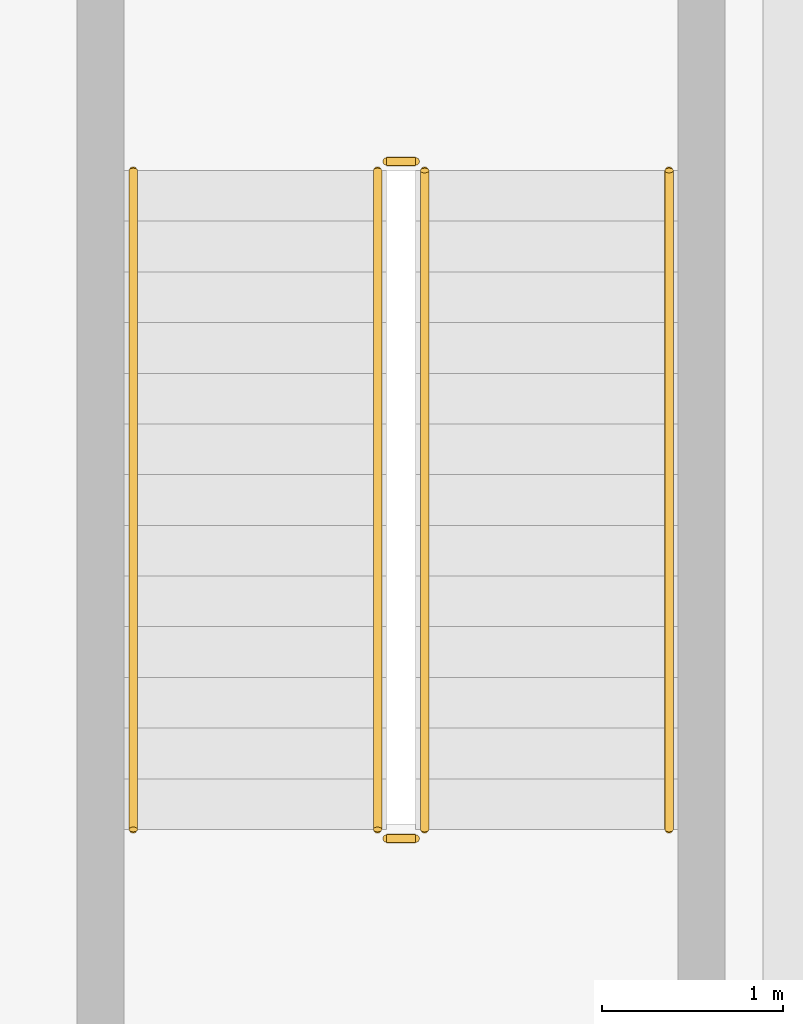
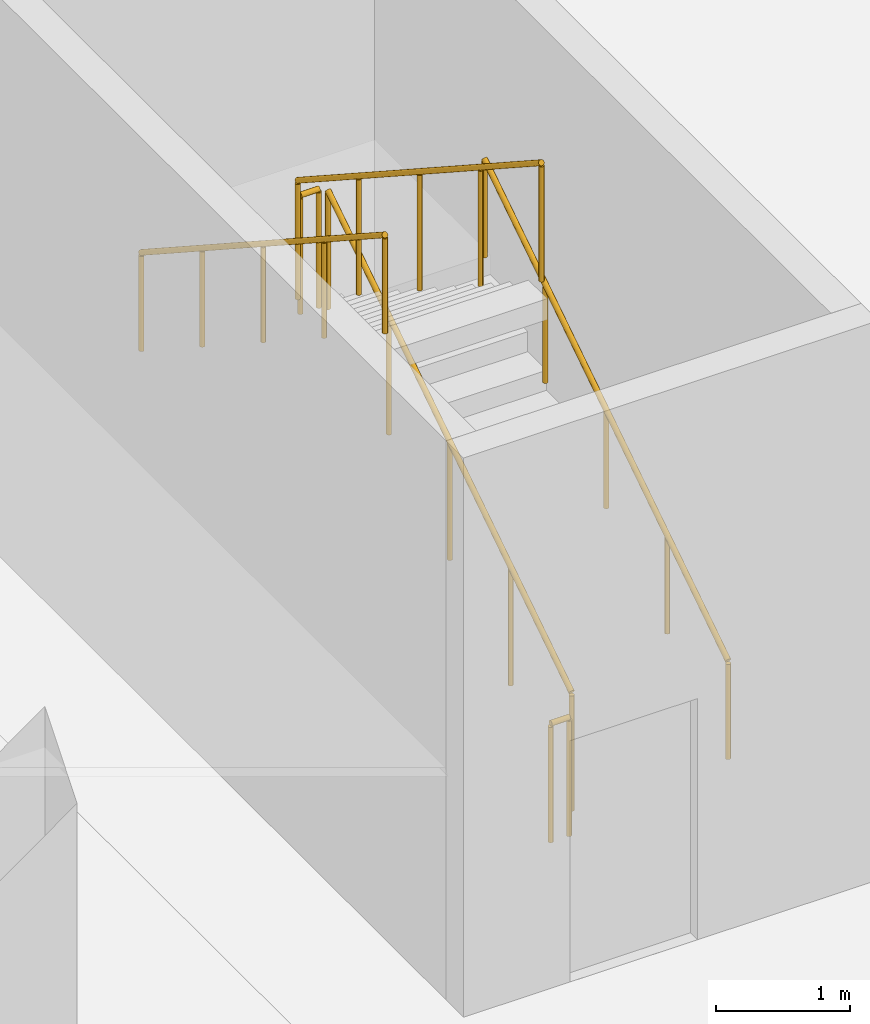
# One storey, part 46 of 61: 6 railings.
"""IFC4 building model written with IfcOpenShell, lengths in metres."""

from ifc_helpers import new_model, si_unit, direction, frame, origin, origin_2d, place, context, subcontext, project, spatial, circle, extrude, material, type_object, element, save


model = new_model("IFC4")

# Units and contexts
model_context = context("Model", 3, precision=1e-05, world=origin(), true_north=direction((0.0, 1.0)))
body_context = subcontext(model_context, "Body", "Model", "MODEL_VIEW")
ifc_project = project(units=[si_unit("LENGTHUNIT", "METRE"), si_unit("AREAUNIT", "SQUARE_METRE"), si_unit("VOLUMEUNIT", "CUBIC_METRE"), si_unit("PLANEANGLEUNIT", "RADIAN"), si_unit("MASSUNIT", "GRAM", prefix="KILO")], contexts=[model_context])

# Site, building, storey
site_placement = place(None, origin())
site = spatial("IfcSite", under=ifc_project, at=site_placement, CompositionType="ELEMENT")
building_placement = place(site_placement, origin())
building = spatial("IfcBuilding", under=site, at=building_placement, Name="Pecanmere Concourse Central Library", CompositionType="ELEMENT")
storey_placement = place(building_placement, frame((0.0, 0.0, 5.39990234375)))
storey = spatial("IfcBuildingStorey", under=building, at=storey_placement, Name="L02", CompositionType="ELEMENT", Elevation=5.39990234375)

# Railings
ifc_material_1 = material(Name="Painted architectural steel ASTM A36", Category="steel")
railing_type_1 = type_object("IfcRailingType", Name="RAIL_STAIR_GUARD", PredefinedType="GUARDRAIL", material=ifc_material_1)
railing_1_placement = place(storey_placement, frame((61.89990234375, 58.0, 0.18212890625)))
element("IfcRailing", 1, at=railing_1_placement, inside=storey, type_object=railing_type_1, Name="L02 ST-06 Guard 1", PredefinedType="GUARDRAIL", context=body_context, shape_type="SweptSolid", body=[
    extrude(circle(Radius=0.02392578125, at=origin_2d()), frame((0.0, 0.0, 1.076171875), z_axis=(0.0, 0.838234174257, 0.545310433706), x_axis=(-1.0, 0.0, 0.0)), (0.0, 0.0, 1.0), 4.34228515625),
    extrude(circle(Radius=0.02099609375, at=origin_2d()), origin(), (0.0, 0.0, 1.0), 1.052001953125),
    extrude(circle(Radius=0.02099609375, at=origin_2d()), frame((0.0, 0.909912109375, 0.592041015625)), (0.0, 0.0, 1.0), 1.052001953125),
    extrude(circle(Radius=0.02099609375, at=origin_2d()), frame((0.0, 1.81982421875, 1.18408203125)), (0.0, 0.0, 1.0), 1.052001953125),
    extrude(circle(Radius=0.02099609375, at=origin_2d()), frame((0.0, 2.72998046875, 1.77587890625)), (0.0, 0.0, 1.0), 1.052001953125),
    extrude(circle(Radius=0.02099609375, at=origin_2d()), frame((0.0, 3.639892578125, 2.367919921875)), (0.0, 0.0, 1.0), 1.052001953125),
])
railing_2_placement = place(storey_placement, frame((61.85009765625, 61.68994140625, 2.550048828125)))
element("IfcRailing", 2, at=railing_2_placement, inside=storey, type_object=railing_type_1, Name="L02 ST-06 Guard 2", PredefinedType="GUARDRAIL", context=body_context, shape_type="SweptSolid", body=[
    extrude(circle(Radius=0.02392578125, at=origin_2d()), frame((0.0, 0.0, 1.076171875), z_axis=(-1.0, 0.0, 0.0), x_axis=(0.0, -1.0, 0.0)), (0.0, 0.0, 1.0), 0.16015625),
    extrude(circle(Radius=0.02099609375, at=origin_2d()), origin(), (0.0, 0.0, 1.0), 1.052001953125),
    extrude(circle(Radius=0.02099609375, at=origin_2d()), frame((-0.16015625, 0.0, 0.0)), (0.0, 0.0, 1.0), 1.052001953125),
])
railing_3_placement = place(storey_placement, frame((61.639892578125, 61.639892578125, 2.732177734375)))
element("IfcRailing", 3, at=railing_3_placement, inside=storey, type_object=railing_type_1, Name="L02 ST-06 Guard 3", PredefinedType="GUARDRAIL", context=body_context, shape_type="SweptSolid", body=[
    extrude(circle(Radius=0.02392578125, at=origin_2d()), frame((0.0, 0.0, 1.076171875), z_axis=(0.0, -0.838234174257, 0.545310433706), x_axis=(1.0, 0.0, 0.0)), (0.0, 0.0, 1.0), 4.34228515625),
    extrude(circle(Radius=0.02099609375, at=origin_2d()), origin(), (0.0, 0.0, 1.0), 1.052001953125),
    extrude(circle(Radius=0.02099609375, at=origin_2d()), frame((0.0, -0.909912109375, 0.592041015625)), (0.0, 0.0, 1.0), 1.052001953125),
    extrude(circle(Radius=0.02099609375, at=origin_2d()), frame((0.0, -1.81982421875, 1.18408203125)), (0.0, 0.0, 1.0), 1.052001953125),
    extrude(circle(Radius=0.02099609375, at=origin_2d()), frame((0.0, -2.72998046875, 1.77587890625)), (0.0, 0.0, 1.0), 1.052001953125),
    extrude(circle(Radius=0.02099609375, at=origin_2d()), frame((0.0, -3.639892578125, 2.367919921875)), (0.0, 0.0, 1.0), 1.052001953125),
])
railing_4_placement = place(storey_placement, frame((61.85009765625, 57.949951171875, 0.0)))
element("IfcRailing", 4, at=railing_4_placement, inside=storey, type_object=railing_type_1, Name="L02 ST-06 Guard 4", PredefinedType="GUARDRAIL", context=body_context, shape_type="SweptSolid", body=[
    extrude(circle(Radius=0.02392578125, at=origin_2d()), frame((0.0, 0.0, 1.076171875), z_axis=(-1.0, 0.0, 0.0), x_axis=(0.0, -1.0, 0.0)), (0.0, 0.0, 1.0), 0.16015625),
    extrude(circle(Radius=0.02099609375, at=origin_2d()), origin(), (0.0, 0.0, 1.0), 1.052001953125),
    extrude(circle(Radius=0.02099609375, at=origin_2d()), frame((-0.16015625, 0.0, 0.0)), (0.0, 0.0, 1.0), 1.052001953125),
])
ifc_material_2 = material(Name="Brushed stainless steel Grade 316", Category="steel")
railing_type_2 = type_object("IfcRailingType", Name="RAIL_STAIR_HR", PredefinedType="HANDRAIL", material=ifc_material_2)
railing_5_placement = place(storey_placement, frame((63.25, 58.0, 0.18212890625)))
element("IfcRailing", 5, at=railing_5_placement, inside=storey, type_object=railing_type_2, Name="L02 ST-06 Handrail 1", PredefinedType="HANDRAIL", context=body_context, shape_type="SweptSolid", body=[
    extrude(circle(Radius=0.02392578125, at=origin_2d()), frame((0.0, 0.0, 0.89111328125), z_axis=(0.0, 0.838234174257, 0.545310433706), x_axis=(-1.0, 0.0, 0.0)), (0.0, 0.0, 1.0), 4.34228515625),
    extrude(circle(Radius=0.02099609375, at=origin_2d()), origin(), (0.0, 0.0, 1.0), 0.866943359375),
    extrude(circle(Radius=0.02099609375, at=origin_2d()), frame((0.0, 0.909912109375, 0.592041015625)), (0.0, 0.0, 1.0), 0.866943359375),
    extrude(circle(Radius=0.02099609375, at=origin_2d()), frame((0.0, 1.81982421875, 1.18408203125)), (0.0, 0.0, 1.0), 0.866943359375),
    extrude(circle(Radius=0.02099609375, at=origin_2d()), frame((0.0, 2.72998046875, 1.77587890625)), (0.0, 0.0, 1.0), 0.866943359375),
    extrude(circle(Radius=0.02099609375, at=origin_2d()), frame((0.0, 3.639892578125, 2.367919921875)), (0.0, 0.0, 1.0), 0.866943359375),
])
railing_6_placement = place(storey_placement, frame((60.2900390625, 61.639892578125, 2.732177734375)))
element("IfcRailing", 6, at=railing_6_placement, inside=storey, type_object=railing_type_2, Name="L02 ST-06 Handrail 2", PredefinedType="HANDRAIL", context=body_context, shape_type="SweptSolid", body=[
    extrude(circle(Radius=0.02392578125, at=origin_2d()), frame((0.0, 0.0, 0.89111328125), z_axis=(0.0, -0.838234174257, 0.545310433706), x_axis=(1.0, 0.0, 0.0)), (0.0, 0.0, 1.0), 4.34228515625),
    extrude(circle(Radius=0.02099609375, at=origin_2d()), origin(), (0.0, 0.0, 1.0), 0.866943359375),
    extrude(circle(Radius=0.02099609375, at=origin_2d()), frame((0.0, -0.909912109375, 0.592041015625)), (0.0, 0.0, 1.0), 0.866943359375),
    extrude(circle(Radius=0.02099609375, at=origin_2d()), frame((0.0, -1.81982421875, 1.18408203125)), (0.0, 0.0, 1.0), 0.866943359375),
    extrude(circle(Radius=0.02099609375, at=origin_2d()), frame((0.0, -2.72998046875, 1.77587890625)), (0.0, 0.0, 1.0), 0.866943359375),
    extrude(circle(Radius=0.02099609375, at=origin_2d()), frame((0.0, -3.639892578125, 2.367919921875)), (0.0, 0.0, 1.0), 0.866943359375),
])

save(model, "model.ifc")
